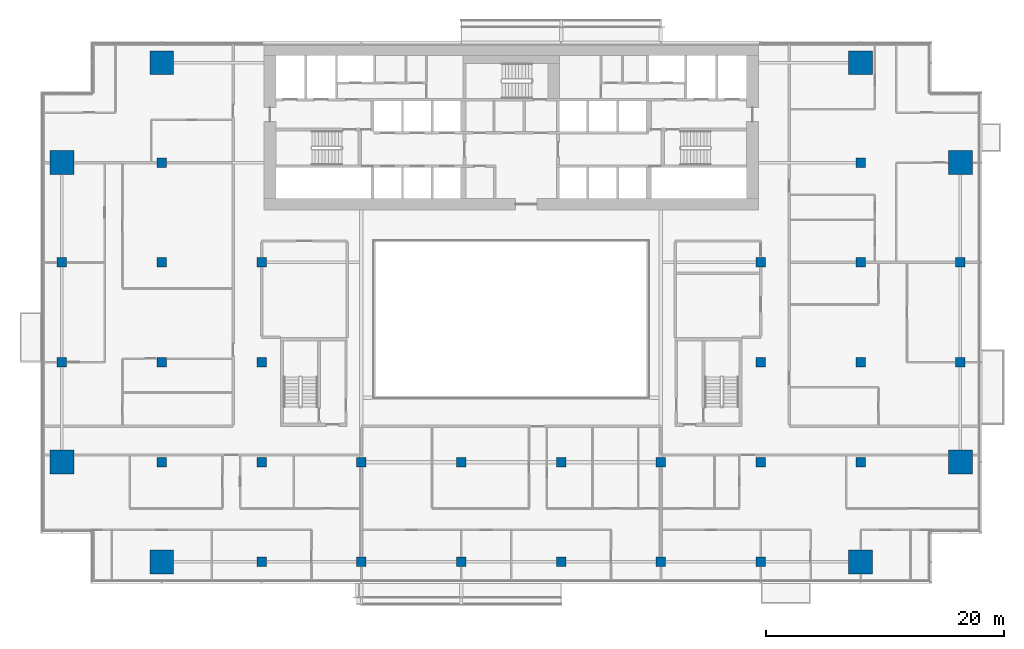
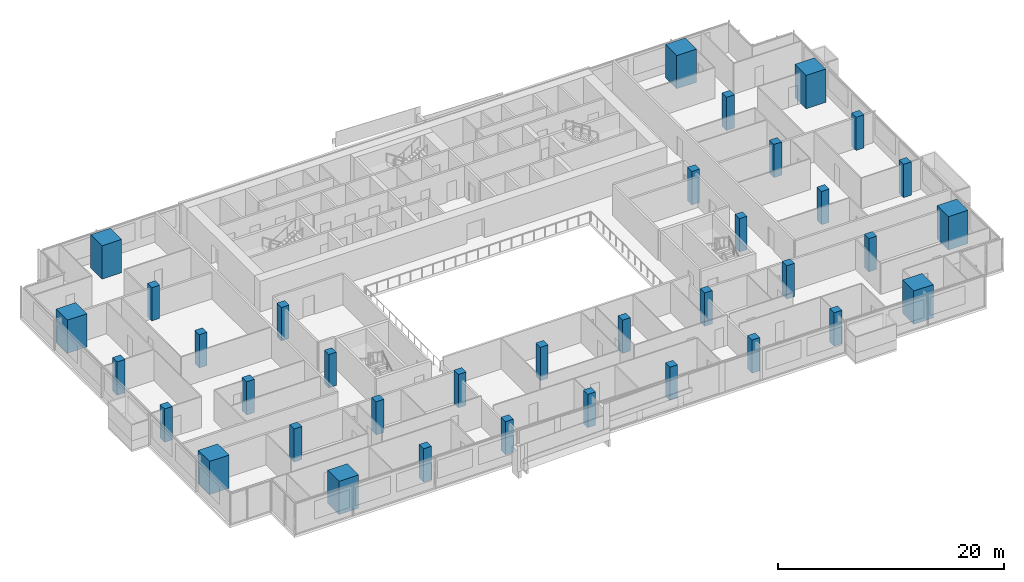
# One storey, part 1 of 26: 36 columns.
"""IFC4 building model written with IfcOpenShell, lengths in metres."""

from ifc_helpers import new_model, si_unit, direction, frame, origin, origin_2d, place, context, subcontext, project, spatial, rectangle, extrude, material, material_profile, profile_set, type_object, element, save


model = new_model("IFC4")

# Units and contexts
model_context = context("Model", 3, precision=1e-05, world=origin(), true_north=direction((0.0, 1.0)))
body_context = subcontext(model_context, "Body", "Model", "MODEL_VIEW")
ifc_project = project(units=[si_unit("LENGTHUNIT", "METRE"), si_unit("AREAUNIT", "SQUARE_METRE"), si_unit("VOLUMEUNIT", "CUBIC_METRE"), si_unit("PLANEANGLEUNIT", "RADIAN"), si_unit("MASSUNIT", "GRAM", prefix="KILO")], contexts=[model_context])

# Site, building, storey
site_placement = place(None, origin())
site = spatial("IfcSite", under=ifc_project, at=site_placement, CompositionType="ELEMENT")
building_placement = place(site_placement, origin())
building = spatial("IfcBuilding", under=site, at=building_placement, Name="Saffron Gate Tower", CompositionType="ELEMENT")
storey_placement = place(building_placement, frame((0.0, 0.0, 120.449951171875)))
storey = spatial("IfcBuildingStorey", under=building, at=storey_placement, Name="L28", CompositionType="ELEMENT", Elevation=120.449951171875)

# Columns
ifc_material_1 = material(Name="Concrete C60", Category="concrete")
ifc_material_profile_1 = material_profile(ifc_material_1, rectangle(XDim=0.800048828125, YDim=0.800048828125, at=origin_2d()))
ifc_profile_set_1 = profile_set([ifc_material_profile_1], Name="Concrete C60")
column_type_1 = type_object("IfcColumnType", Name="C5 RC 800x800 CONCRETE C60", PredefinedType="COLUMN", material=ifc_profile_set_1)
for number, where, z_axis, x_axis, name in (
    (1, (49.800048828125, 48.60009765625, 0.0), (0.0, 0.0, 1.0), (1.0, 0.0, 0.0), "C5 COLUMN X1-C"),
    (2, (49.800048828125, 57.0, 0.0), (0.0, 0.0, 1.0), (1.0, 0.0, 0.0), "C5 COLUMN X1-D"),
    (3, (58.199951171875, 40.199951171875, 0.0), (0.0, 0.0, 1.0), (1.0, 0.0, 0.0), "C5 COLUMN X2-B"),
    (4, (58.199951171875, 48.60009765625, 0.0), (0.0, 0.0, 1.0), (1.0, 0.0, 0.0), "C5 COLUMN X2-C"),
    (5, (58.199951171875, 57.0, 0.0), (0.0, 0.0, 1.0), (1.0, 0.0, 0.0), "C5 COLUMN X2-D"),
    (6, (58.199951171875, 65.39990234375, 0.0), (0.0, 0.0, 1.0), (1.0, 0.0, 0.0), "C5 COLUMN X2-E"),
    (7, (66.60009765625, 31.800048828125, 0.0), (0.0, 0.0, 1.0), (1.0, 0.0, 0.0), "C5 COLUMN X3-A"),
    (8, (66.60009765625, 40.199951171875, 0.0), (0.0, 0.0, 1.0), (1.0, 0.0, 0.0), "C5 COLUMN X3-B"),
    (9, (66.60009765625, 48.60009765625, 0.0), (0.0, 0.0, 1.0), (1.0, 0.0, 0.0), "C5 COLUMN X3-C"),
    (10, (66.60009765625, 57.0, 0.0), (0.0, 0.0, 1.0), (1.0, 0.0, 0.0), "C5 COLUMN X3-D"),
    (11, (75.0, 31.800048828125, 0.0), (0.0, 0.0, 1.0), (1.0, 0.0, 0.0), "C5 COLUMN X4-A"),
    (12, (75.0, 40.199951171875, 0.0), (0.0, 0.0, 1.0), (1.0, 0.0, 0.0), "C5 COLUMN X4-B"),
    (13, (83.39990234375, 31.800048828125, 0.0), (0.0, 0.0, 1.0), (1.0, 0.0, 0.0), "C5 COLUMN X5-A"),
    (14, (83.39990234375, 40.199951171875, 0.0), (0.0, 0.0, 1.0), (1.0, 0.0, 0.0), "C5 COLUMN X5-B"),
    (15, (91.800048828125, 31.800048828125, 0.0), (0.0, 0.0, 1.0), (1.0, 0.0, 0.0), "C5 COLUMN X6-A"),
    (16, (91.800048828125, 40.199951171875, 0.0), (0.0, 0.0, 1.0), (1.0, 0.0, 0.0), "C5 COLUMN X6-B"),
    (17, (100.199951171875, 31.800048828125, 0.0), (0.0, 0.0, 1.0), (1.0, 0.0, 0.0), "C5 COLUMN X7-A"),
    (18, (100.199951171875, 40.199951171875, 0.0), (0.0, 0.0, 1.0), (1.0, 0.0, 0.0), "C5 COLUMN X7-B"),
    (19, (108.60009765625, 31.800048828125, 0.0), (0.0, 0.0, 1.0), (1.0, 0.0, 0.0), "C5 COLUMN X8-A"),
    (20, (108.60009765625, 40.199951171875, 0.0), (0.0, 0.0, 1.0), (1.0, 0.0, 0.0), "C5 COLUMN X8-B"),
    (21, (108.60009765625, 48.60009765625, 0.0), (0.0, 0.0, 1.0), (1.0, 0.0, 0.0), "C5 COLUMN X8-C"),
    (22, (108.60009765625, 57.0, 0.0), (0.0, 0.0, 1.0), (1.0, 0.0, 0.0), "C5 COLUMN X8-D"),
    (23, (117.0, 40.199951171875, 0.0), (0.0, 0.0, 1.0), (1.0, 0.0, 0.0), "C5 COLUMN X9-B"),
    (24, (117.0, 48.60009765625, 0.0), (0.0, 0.0, 1.0), (1.0, 0.0, 0.0), "C5 COLUMN X9-C"),
    (25, (117.0, 57.0, 0.0), (0.0, 0.0, 1.0), (1.0, 0.0, 0.0), "C5 COLUMN X9-D"),
    (26, (117.0, 65.39990234375, 0.0), (0.0, 0.0, 1.0), (1.0, 0.0, 0.0), "C5 COLUMN X9-E"),
    (27, (125.39990234375, 48.60009765625, 0.0), (0.0, 0.0, 1.0), (1.0, 0.0, 0.0), "C5 COLUMN X10-C"),
    (28, (125.39990234375, 57.0, 0.0), (0.0, 0.0, 1.0), (1.0, 0.0, 0.0), "C5 COLUMN X10-D"),
):
    element("IfcColumn", number, at=place(storey_placement, frame(where, z_axis=z_axis, x_axis=x_axis)), inside=storey, type_object=column_type_1, Name=name, PredefinedType="COLUMN", context=body_context, shape_type="SweptSolid", body=[
        extrude(rectangle(XDim=0.800048828125, YDim=0.800048828125, at=origin_2d()), origin(), (0.0, 0.0, 1.0), 3.60009765625),
    ])
ifc_material_2 = material(Name="Concrete C80", Category="concrete")
ifc_material_profile_2 = material_profile(ifc_material_2, rectangle(XDim=2.0, YDim=2.0, at=origin_2d()))
ifc_profile_set_2 = profile_set([ifc_material_profile_2], Name="Concrete C80")
column_type_2 = type_object("IfcColumnType", Name="MC3 RC 2000x2000 CONCRETE C80", PredefinedType="COLUMN", material=ifc_profile_set_2)
for number, where, z_axis, x_axis, name in (
    (29, (49.800048828125, 40.199951171875, 0.0), (0.0, 0.0, 1.0), (1.0, 0.0, 0.0), "MC3 MEGA COLUMN X1-B"),
    (30, (49.800048828125, 65.39990234375, 0.0), (0.0, 0.0, 1.0), (1.0, 0.0, 0.0), "MC3 MEGA COLUMN X1-E"),
    (31, (58.199951171875, 31.800048828125, 0.0), (0.0, 0.0, 1.0), (1.0, 0.0, 0.0), "MC3 MEGA COLUMN X2-A"),
    (32, (58.199951171875, 73.800048828125, 0.0), (0.0, 0.0, 1.0), (1.0, 0.0, 0.0), "MC3 MEGA COLUMN X2-F"),
    (33, (117.0, 31.800048828125, 0.0), (0.0, 0.0, 1.0), (1.0, 0.0, 0.0), "MC3 MEGA COLUMN X9-A"),
    (34, (117.0, 73.800048828125, 0.0), (0.0, 0.0, 1.0), (1.0, 0.0, 0.0), "MC3 MEGA COLUMN X9-F"),
    (35, (125.39990234375, 40.199951171875, 0.0), (0.0, 0.0, 1.0), (1.0, 0.0, 0.0), "MC3 MEGA COLUMN X10-B"),
    (36, (125.39990234375, 65.39990234375, 0.0), (0.0, 0.0, 1.0), (1.0, 0.0, 0.0), "MC3 MEGA COLUMN X10-E"),
):
    element("IfcColumn", number, at=place(storey_placement, frame(where, z_axis=z_axis, x_axis=x_axis)), inside=storey, type_object=column_type_2, Name=name, PredefinedType="COLUMN", context=body_context, shape_type="SweptSolid", body=[
        extrude(rectangle(XDim=2.0, YDim=2.0, at=origin_2d()), origin(), (0.0, 0.0, 1.0), 3.60009765625),
    ])

save(model, "model.ifc")
